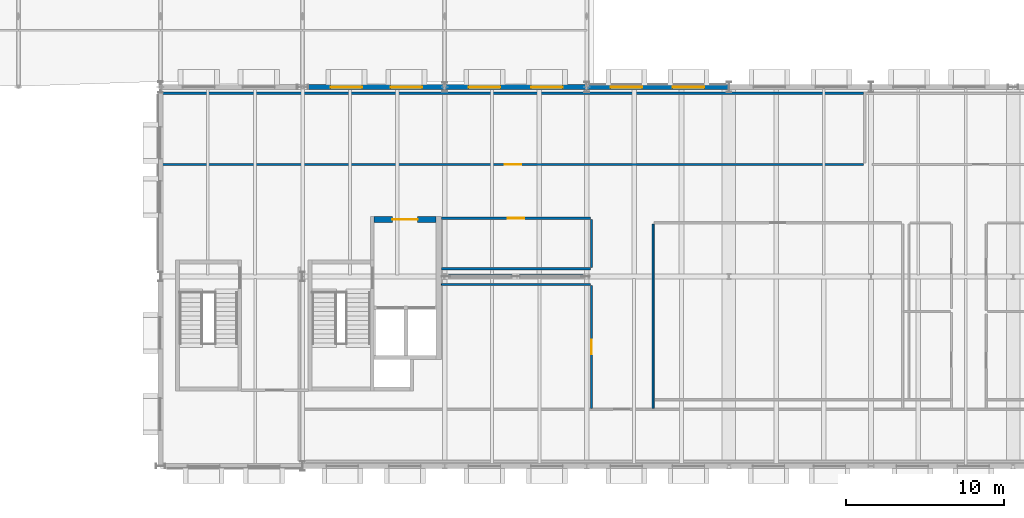
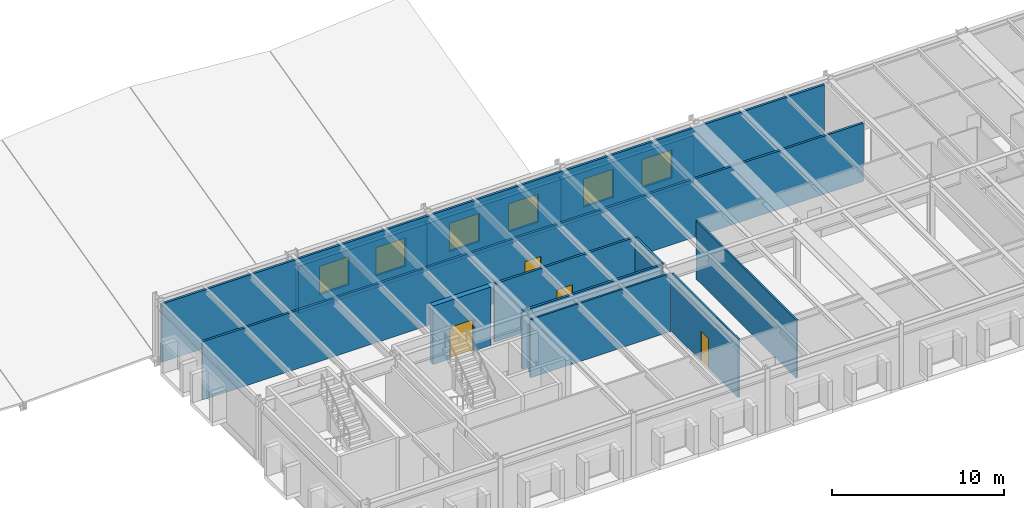
# One storey, part 55 of 67: 13 walls, 6 windows, 4 doors, 10 openings.
"""IFC4 building model written with IfcOpenShell, lengths in metres."""

from ifc_helpers import new_model, si_unit, direction, frame, frame_2d, origin, place, context, subcontext, project, spatial, rectangle, extrude, material, layer, layer_set, type_object, element, fill, save


model = new_model("IFC4")

# Units and contexts
model_context = context("Model", 3, precision=1e-05, world=origin(), true_north=direction((0.0, 1.0)))
body_context = subcontext(model_context, "Body", "Model", "MODEL_VIEW")
ifc_project = project(units=[si_unit("LENGTHUNIT", "METRE"), si_unit("AREAUNIT", "SQUARE_METRE"), si_unit("VOLUMEUNIT", "CUBIC_METRE"), si_unit("PLANEANGLEUNIT", "RADIAN"), si_unit("MASSUNIT", "GRAM", prefix="KILO")], contexts=[model_context])

# Site, building, storey
site_placement = place(None, origin())
site = spatial("IfcSite", under=ifc_project, at=site_placement, CompositionType="ELEMENT")
building_placement = place(site_placement, origin())
building = spatial("IfcBuilding", under=site, at=building_placement, Name="Montelvaro Courts of Justice", CompositionType="ELEMENT")
storey_placement = place(building_placement, frame((0.0, 0.0, 18.89990234375)))
storey = spatial("IfcBuildingStorey", under=building, at=storey_placement, Name="L04", CompositionType="ELEMENT", Elevation=18.89990234375)

# Wall, opening, door
ifc_material_1 = material(Name="Gypsum board on metal stud")
ifc_layer_1 = layer(ifc_material_1, 0.14990234375)
ifc_layer_set_1 = layer_set([ifc_layer_1], Name="Gypsum board on metal stud")
wall_type_1 = type_object("IfcWallType", Name="ChambersPartition_150", PredefinedType="PARTITIONING", material=ifc_layer_set_1)
wall_1_placement = place(storey_placement, frame((89.52001953125, 19.10009765625, 0.0), z_axis=(0.0, 0.0, 1.0), x_axis=(-1.0, 0.0, 0.0)))
wall_1 = element("IfcWall", 1, at=wall_1_placement, inside=storey, type_object=wall_type_1, Name="Interior Partition IW-04 (L04)", PredefinedType="PARTITIONING", context=body_context, shape_type="SweptSolid", body=[
    extrude(rectangle(XDim=44.375, YDim=0.14990234375, at=frame_2d((22.1875, 0.0))), origin(), (0.0, 0.0, 1.0), 4.14013671875),
])
opening_1_placement = place(wall_1_placement, frame((21.6630859375, 0.0, 0.0)))
opening_1 = element("IfcOpeningElement", 2, at=opening_1_placement, cuts=wall_1, Name="Opening D-L04-135", PredefinedType="OPENING", context=body_context, shape_type="SweptSolid", body=[
    extrude(rectangle(XDim=1.050048828125, YDim=2.25, at=frame_2d((0.52490234375, 1.125))), frame((0.0, 0.08984375, 0.0), z_axis=(0.0, -1.0, 0.0), x_axis=(1.0, 0.0, 0.0)), (0.0, 0.0, 1.0), 0.1796875),
])
ifc_material_2 = material(Name="Acoustic oak timber veneer", Category="wood")
door_type_1 = type_object("IfcDoorType", Name="ChamberDoor_105x225", OperationType="NOTDEFINED", PredefinedType="DOOR", material=ifc_material_2)
door_1_placement = place(opening_1_placement, frame((1.050048828125, 0.0, 0.0), z_axis=(0.0, 0.0, 1.0), x_axis=(-1.0, 0.0, 0.0)))
door_1 = element("IfcDoor", 3, at=door_1_placement, inside=storey, type_object=door_type_1, Name="Interior Door D-L04-135 (Prosecutors' Suite West L04)", OperationType="SINGLE_SWING_RIGHT", OverallHeight=2.25, OverallWidth=1.050048828125, PredefinedType="DOOR", context=body_context, shape_type="SweptSolid", body=[
    extrude(rectangle(XDim=1.050048828125, YDim=2.25, at=frame_2d((0.52490234375, 1.125))), frame((0.0, 0.02490234375, 0.0), z_axis=(0.0, -1.0, 0.0), x_axis=(1.0, 0.0, 0.0)), (0.0, 0.0, 1.0), 0.050048828125),
])
fill(opening_1, door_1)

# Wall
wall_2_placement = place(storey_placement, frame((45.008056640625, 23.60009765625, 0.0), z_axis=(0.0, 0.0, 1.0), x_axis=(1.0, 0.0, 0.0)))
element("IfcWall", 4, at=wall_2_placement, inside=storey, type_object=wall_type_1, Name="Interior Partition IW-04 (L04)", PredefinedType="PARTITIONING", context=body_context, shape_type="SweptSolid", body=[
    extrude(rectangle(XDim=44.511962890625, YDim=0.14990234375, at=frame_2d((22.255859375, 0.0))), origin(), (0.0, 0.0, 1.0), 4.14013671875),
])

# Wall, opening, door
wall_3_placement = place(storey_placement, frame((62.794921875, 15.699951171875, 0.0), z_axis=(0.0, 0.0, 1.0), x_axis=(1.0, 0.0, 0.0)))
wall_3 = element("IfcWall", 5, at=wall_3_placement, inside=storey, type_object=wall_type_1, Name="Interior Partition IW-04 (L04)", PredefinedType="PARTITIONING", context=body_context, shape_type="SweptSolid", body=[
    extrude(rectangle(XDim=9.425048828125, YDim=0.14990234375, at=frame_2d((4.71240234375, 0.0))), origin(), (0.0, 0.0, 1.0), 4.14013671875),
])
opening_2_placement = place(wall_3_placement, frame((4.18701171875, 0.0, 0.0)))
opening_2 = element("IfcOpeningElement", 6, at=opening_2_placement, cuts=wall_3, Name="Opening D-L04-139", PredefinedType="OPENING", context=body_context, shape_type="SweptSolid", body=[
    extrude(rectangle(XDim=1.050048828125, YDim=2.25, at=frame_2d((0.52490234375, 1.125))), frame((0.0, 0.08984375, 0.0), z_axis=(0.0, -1.0, 0.0), x_axis=(1.0, 0.0, 0.0)), (0.0, 0.0, 1.0), 0.1796875),
])
door_2_placement = place(opening_2_placement, frame((1.050048828125, 0.0, 0.0), z_axis=(0.0, 0.0, 1.0), x_axis=(-1.0, 0.0, 0.0)))
door_2 = element("IfcDoor", 7, at=door_2_placement, inside=storey, type_object=door_type_1, Name="Interior Door D-L04-139 (Prosecution Secretariat L04)", OperationType="SINGLE_SWING_RIGHT", OverallHeight=2.25, OverallWidth=1.050048828125, PredefinedType="DOOR", context=body_context, shape_type="SweptSolid", body=[
    extrude(rectangle(XDim=1.050048828125, YDim=2.25, at=frame_2d((0.52490234375, 1.125))), frame((0.0, 0.02490234375, 0.0), z_axis=(0.0, -1.0, 0.0), x_axis=(1.0, 0.0, 0.0)), (0.0, 0.0, 1.0), 0.050048828125),
])
fill(opening_2, door_2)

# Walls
wall_4_placement = place(storey_placement, frame((72.300048828125, 15.6201171875, 0.0), z_axis=(0.0, 0.0, 1.0), x_axis=(0.0, -1.0, 0.0)))
element("IfcWall", 8, at=wall_4_placement, inside=storey, type_object=wall_type_1, Name="Interior Partition IW-04 (L04)", PredefinedType="PARTITIONING", context=body_context, shape_type="SweptSolid", body=[
    extrude(rectangle(XDim=3.0400390625, YDim=0.14990234375, at=frame_2d((1.52001953125, 0.0))), origin(), (0.0, 0.0, 1.0), 4.14013671875),
])
wall_5_placement = place(storey_placement, frame((72.219970703125, 12.5, 0.0), z_axis=(0.0, 0.0, 1.0), x_axis=(-1.0, 0.0, 0.0)))
element("IfcWall", 9, at=wall_5_placement, inside=storey, type_object=wall_type_1, Name="Interior Partition IW-04 (L04)", PredefinedType="PARTITIONING", context=body_context, shape_type="SweptSolid", body=[
    extrude(rectangle(XDim=9.425048828125, YDim=0.14990234375, at=frame_2d((4.71240234375, 0.0))), origin(), (0.0, 0.0, 1.0), 4.14013671875),
])

# Wall, opening, door
ifc_material_3 = material(Name="Concrete C40/50", Category="concrete")
ifc_layer_2 = layer(ifc_material_3, 0.360107421875)
ifc_layer_set_2 = layer_set([ifc_layer_2], Name="Concrete C40/50")
wall_type_2 = type_object("IfcWallType", Name="CoreWall_360", PredefinedType="SHEAR", material=ifc_layer_set_2)
wall_6_placement = place(storey_placement, frame((58.5400390625, 15.6201171875, 0.0), z_axis=(0.0, 0.0, 1.0), x_axis=(1.0, 0.0, 0.0)))
wall_6 = element("IfcWall", 10, at=wall_6_placement, inside=storey, type_object=wall_type_2, Name="Core Shear Wall CW-01 K1-N (L04)", PredefinedType="SHEAR", context=body_context, shape_type="SweptSolid", body=[
    extrude(rectangle(XDim=3.89990234375, YDim=0.360107421875, at=frame_2d((1.949951171875, 0.0))), origin(), (0.0, 0.0, 1.0), 4.16015625),
])
opening_3_placement = place(wall_6_placement, frame((1.14990234375, 0.0, 0.0)))
opening_3 = element("IfcOpeningElement", 11, at=opening_3_placement, cuts=wall_6, Name="Opening DL-L04-K1", PredefinedType="OPENING", context=body_context, shape_type="SweptSolid", body=[
    extrude(rectangle(XDim=1.60009765625, YDim=2.25, at=frame_2d((0.800048828125, 1.125))), frame((0.0, 0.19482421875, 0.0), z_axis=(0.0, -1.0, 0.0), x_axis=(1.0, 0.0, 0.0)), (0.0, 0.0, 1.0), 0.389892578125),
])
ifc_material_4 = material(Name="Galvanised steel S355 security door", Category="steel")
door_type_2 = type_object("IfcDoorType", Name="LobbyFireDoor_160x225", OperationType="DOUBLE_DOOR_SINGLE_SWING", PredefinedType="DOOR", material=ifc_material_4)
door_3_placement = place(opening_3_placement, origin())
door_3 = element("IfcDoor", 12, at=door_3_placement, inside=storey, type_object=door_type_2, Name="Core Lobby Fire Door DL-L04-K1", OperationType="DOUBLE_DOOR_SINGLE_SWING", OverallHeight=2.25, OverallWidth=1.60009765625, PredefinedType="DOOR", context=body_context, shape_type="SweptSolid", body=[
    extrude(rectangle(XDim=1.60009765625, YDim=2.25, at=frame_2d((0.800048828125, 1.125))), frame((0.0, 0.02490234375, 0.0), z_axis=(0.0, -1.0, 0.0), x_axis=(1.0, 0.0, 0.0)), (0.0, 0.0, 1.0), 0.050048828125),
])
fill(opening_3, door_3)

# Wall, openings, windows
ifc_material_5 = material(Name="White mineral precast concrete C45/55", Category="concrete")
ifc_layer_3 = layer(ifc_material_5, 0.300048828125)
ifc_layer_set_3 = layer_set([ifc_layer_3], Name="White mineral precast concrete C45/55")
wall_type_3 = type_object("IfcWallType", Name="ExtWall_GFRC_300", PredefinedType="SOLIDWALL", material=ifc_layer_set_3)
wall_7_placement = place(storey_placement, frame((80.94189453125, 24.0, 0.0), z_axis=(0.0, 0.0, 1.0), x_axis=(-1.0, 0.0, 0.0)))
wall_7 = element("IfcWall", 13, at=wall_7_placement, inside=storey, type_object=wall_type_3, Name="Exterior Facade Wall EW-02 (L04)", PredefinedType="SOLIDWALL", context=body_context, shape_type="SweptSolid", body=[
    extrude(rectangle(XDim=8.933837890625, YDim=0.300048828125, at=frame_2d((4.466796875, 0.0))), origin(), (0.0, 0.0, 1.0), 3.34521484375),
])
opening_4_placement = place(wall_7_placement, frame((1.501953125, 0.0, 0.85009765625)))
opening_4 = element("IfcOpeningElement", 14, at=opening_4_placement, cuts=wall_7, Name="Opening WE-11", PredefinedType="OPENING", context=body_context, shape_type="SweptSolid", body=[
    extrude(rectangle(XDim=2.0, YDim=2.0, at=frame_2d((1.0, 1.0))), frame((0.0, 0.1650390625, 0.0), z_axis=(0.0, -1.0, 0.0), x_axis=(1.0, 0.0, 0.0)), (0.0, 0.0, 1.0), 0.329833984375),
])
opening_5_placement = place(wall_7_placement, frame((5.431884765625, 0.0, 0.85009765625)))
opening_5 = element("IfcOpeningElement", 15, at=opening_5_placement, cuts=wall_7, Name="Opening WE-11", PredefinedType="OPENING", context=body_context, shape_type="SweptSolid", body=[
    extrude(rectangle(XDim=2.0, YDim=2.0, at=frame_2d((1.0, 1.0))), frame((0.0, 0.1650390625, 0.0), z_axis=(0.0, -1.0, 0.0), x_axis=(1.0, 0.0, 0.0)), (0.0, 0.0, 1.0), 0.329833984375),
])
ifc_material_6 = material(Name="Low-E solar control double glazing", Category="glass")
window_type = type_object("IfcWindowType", Name="Win_Sq_200x200", PartitioningType="SINGLE_PANEL", PredefinedType="WINDOW", material=ifc_material_6)
window_1_placement = place(opening_4_placement, origin())
window_1 = element("IfcWindow", 16, at=window_1_placement, inside=storey, type_object=window_type, Name="Window W-L04-197", OverallHeight=2.0, OverallWidth=2.0, PartitioningType="SINGLE_PANEL", PredefinedType="WINDOW", context=body_context, shape_type="SweptSolid", body=[
    extrude(rectangle(XDim=2.0, YDim=2.0, at=frame_2d((1.0, 1.0))), frame((0.0, 0.030029296875, 0.0), z_axis=(0.0, -1.0, 0.0), x_axis=(1.0, 0.0, 0.0)), (0.0, 0.0, 1.0), 0.06005859375),
])
fill(opening_4, window_1)
window_2_placement = place(opening_5_placement, origin())
window_2 = element("IfcWindow", 17, at=window_2_placement, inside=storey, type_object=window_type, Name="Window W-L04-198", OverallHeight=2.0, OverallWidth=2.0, PartitioningType="SINGLE_PANEL", PredefinedType="WINDOW", context=body_context, shape_type="SweptSolid", body=[
    extrude(rectangle(XDim=2.0, YDim=2.0, at=frame_2d((1.0, 1.0))), frame((0.0, 0.030029296875, 0.0), z_axis=(0.0, -1.0, 0.0), x_axis=(1.0, 0.0, 0.0)), (0.0, 0.0, 1.0), 0.06005859375),
])
fill(opening_5, window_2)

wall_8_placement = place(storey_placement, frame((71.991943359375, 24.0, 0.0), z_axis=(0.0, 0.0, 1.0), x_axis=(-1.0, 0.0, 0.0)))
wall_8 = element("IfcWall", 18, at=wall_8_placement, inside=storey, type_object=wall_type_3, Name="Exterior Facade Wall EW-02 (L04)", PredefinedType="SOLIDWALL", context=body_context, shape_type="SweptSolid", body=[
    extrude(rectangle(XDim=8.98388671875, YDim=0.300048828125, at=frame_2d((4.491943359375, 0.0))), origin(), (0.0, 0.0, 1.0), 3.34521484375),
])
opening_6_placement = place(wall_8_placement, frame((1.51611328125, 0.0, 0.85009765625)))
opening_6 = element("IfcOpeningElement", 19, at=opening_6_placement, cuts=wall_8, Name="Opening WE-11", PredefinedType="OPENING", context=body_context, shape_type="SweptSolid", body=[
    extrude(rectangle(XDim=2.0, YDim=2.0, at=frame_2d((1.0, 1.0))), frame((0.0, 0.1650390625, 0.0), z_axis=(0.0, -1.0, 0.0), x_axis=(1.0, 0.0, 0.0)), (0.0, 0.0, 1.0), 0.329833984375),
])
opening_7_placement = place(wall_8_placement, frame((5.468017578125, 0.0, 0.85009765625)))
opening_7 = element("IfcOpeningElement", 20, at=opening_7_placement, cuts=wall_8, Name="Opening WE-11", PredefinedType="OPENING", context=body_context, shape_type="SweptSolid", body=[
    extrude(rectangle(XDim=2.0, YDim=2.0, at=frame_2d((1.0, 1.0))), frame((0.0, 0.1650390625, 0.0), z_axis=(0.0, -1.0, 0.0), x_axis=(1.0, 0.0, 0.0)), (0.0, 0.0, 1.0), 0.329833984375),
])
window_3_placement = place(opening_6_placement, origin())
window_3 = element("IfcWindow", 21, at=window_3_placement, inside=storey, type_object=window_type, Name="Window W-L04-199", OverallHeight=2.0, OverallWidth=2.0, PartitioningType="SINGLE_PANEL", PredefinedType="WINDOW", context=body_context, shape_type="SweptSolid", body=[
    extrude(rectangle(XDim=2.0, YDim=2.0, at=frame_2d((1.0, 1.0))), frame((0.0, 0.030029296875, 0.0), z_axis=(0.0, -1.0, 0.0), x_axis=(1.0, 0.0, 0.0)), (0.0, 0.0, 1.0), 0.06005859375),
])
fill(opening_6, window_3)
window_4_placement = place(opening_7_placement, origin())
window_4 = element("IfcWindow", 22, at=window_4_placement, inside=storey, type_object=window_type, Name="Window W-L04-200", OverallHeight=2.0, OverallWidth=2.0, PartitioningType="SINGLE_PANEL", PredefinedType="WINDOW", context=body_context, shape_type="SweptSolid", body=[
    extrude(rectangle(XDim=2.0, YDim=2.0, at=frame_2d((1.0, 1.0))), frame((0.0, 0.030029296875, 0.0), z_axis=(0.0, -1.0, 0.0), x_axis=(1.0, 0.0, 0.0)), (0.0, 0.0, 1.0), 0.06005859375),
])
fill(opening_7, window_4)

wall_9_placement = place(storey_placement, frame((62.991943359375, 24.0, 0.0), z_axis=(0.0, 0.0, 1.0), x_axis=(-1.0, 0.0, 0.0)))
wall_9 = element("IfcWall", 23, at=wall_9_placement, inside=storey, type_object=wall_type_3, Name="Exterior Facade Wall EW-02 (L04)", PredefinedType="SOLIDWALL", context=body_context, shape_type="SweptSolid", body=[
    extrude(rectangle(XDim=8.635986328125, YDim=0.300048828125, at=frame_2d((4.31787109375, 0.0))), origin(), (0.0, 0.0, 1.0), 3.34521484375),
])
opening_8_placement = place(wall_9_placement, frame((1.41796875, 0.0, 0.85009765625)))
opening_8 = element("IfcOpeningElement", 24, at=opening_8_placement, cuts=wall_9, Name="Opening WE-11", PredefinedType="OPENING", context=body_context, shape_type="SweptSolid", body=[
    extrude(rectangle(XDim=2.0, YDim=2.0, at=frame_2d((1.0, 1.0))), frame((0.0, 0.1650390625, 0.0), z_axis=(0.0, -1.0, 0.0), x_axis=(1.0, 0.0, 0.0)), (0.0, 0.0, 1.0), 0.329833984375),
])
opening_9_placement = place(wall_9_placement, frame((5.218017578125, 0.0, 0.85009765625)))
opening_9 = element("IfcOpeningElement", 25, at=opening_9_placement, cuts=wall_9, Name="Opening WE-11", PredefinedType="OPENING", context=body_context, shape_type="SweptSolid", body=[
    extrude(rectangle(XDim=2.0, YDim=2.0, at=frame_2d((1.0, 1.0))), frame((0.0, 0.1650390625, 0.0), z_axis=(0.0, -1.0, 0.0), x_axis=(1.0, 0.0, 0.0)), (0.0, 0.0, 1.0), 0.329833984375),
])
window_5_placement = place(opening_8_placement, origin())
window_5 = element("IfcWindow", 26, at=window_5_placement, inside=storey, type_object=window_type, Name="Window W-L04-201", OverallHeight=2.0, OverallWidth=2.0, PartitioningType="SINGLE_PANEL", PredefinedType="WINDOW", context=body_context, shape_type="SweptSolid", body=[
    extrude(rectangle(XDim=2.0, YDim=2.0, at=frame_2d((1.0, 1.0))), frame((0.0, 0.030029296875, 0.0), z_axis=(0.0, -1.0, 0.0), x_axis=(1.0, 0.0, 0.0)), (0.0, 0.0, 1.0), 0.06005859375),
])
fill(opening_8, window_5)
window_6_placement = place(opening_9_placement, origin())
window_6 = element("IfcWindow", 27, at=window_6_placement, inside=storey, type_object=window_type, Name="Window W-L04-202", OverallHeight=2.0, OverallWidth=2.0, PartitioningType="SINGLE_PANEL", PredefinedType="WINDOW", context=body_context, shape_type="SweptSolid", body=[
    extrude(rectangle(XDim=2.0, YDim=2.0, at=frame_2d((1.0, 1.0))), frame((0.0, 0.030029296875, 0.0), z_axis=(0.0, -1.0, 0.0), x_axis=(1.0, 0.0, 0.0)), (0.0, 0.0, 1.0), 0.06005859375),
])
fill(opening_9, window_6)

# Wall, opening, door
ifc_layer_4 = layer(ifc_material_1, 0.1201171875)
ifc_layer_set_4 = layer_set([ifc_layer_4], Name="Gypsum board on metal stud")
wall_type_4 = type_object("IfcWallType", Name="OfficePartition_120", PredefinedType="PARTITIONING", material=ifc_layer_set_4)
wall_10_placement = place(storey_placement, frame((72.300048828125, 11.419921875, 0.0), z_axis=(0.0, 0.0, 1.0), x_axis=(0.0, -1.0, 0.0)))
wall_10 = element("IfcWall", 28, at=wall_10_placement, inside=storey, type_object=wall_type_4, Name="Interior Partition IW-05 (L04)", PredefinedType="PARTITIONING", context=body_context, shape_type="SweptSolid", body=[
    extrude(rectangle(XDim=7.764892578125, YDim=0.1201171875, at=frame_2d((3.88232421875, 0.0))), origin(), (0.0, 0.0, 1.0), 4.14013671875),
])
opening_10_placement = place(wall_10_placement, frame((3.43310546875, 0.0, 0.0)))
opening_10 = element("IfcOpeningElement", 29, at=opening_10_placement, cuts=wall_10, Name="Opening D-L04-138", PredefinedType="OPENING", context=body_context, shape_type="SweptSolid", body=[
    extrude(rectangle(XDim=0.89990234375, YDim=2.10009765625, at=frame_2d((0.449951171875, 1.050048828125))), frame((0.0, 0.074951171875, 0.0), z_axis=(0.0, -1.0, 0.0), x_axis=(1.0, 0.0, 0.0)), (0.0, 0.0, 1.0), 0.14990234375),
])
door_type_3 = type_object("IfcDoorType", Name="OfficeDoor_090x210", OperationType="NOTDEFINED", PredefinedType="DOOR", material=ifc_material_2)
door_4_placement = place(opening_10_placement, origin())
door_4 = element("IfcDoor", 30, at=door_4_placement, inside=storey, type_object=door_type_3, Name="Interior Door D-L04-138 (Chief Prosecutor's Chambers)", OperationType="SINGLE_SWING_LEFT", OverallHeight=2.10009765625, OverallWidth=0.89990234375, PredefinedType="DOOR", context=body_context, shape_type="SweptSolid", body=[
    extrude(rectangle(XDim=0.89990234375, YDim=2.10009765625, at=frame_2d((0.449951171875, 1.050048828125))), frame((0.0, 0.02490234375, 0.0), z_axis=(0.0, -1.0, 0.0), x_axis=(1.0, 0.0, 0.0)), (0.0, 0.0, 1.0), 0.050048828125),
])
fill(opening_10, door_4)

# Walls
wall_11_placement = place(storey_placement, frame((62.794921875, 11.5, 0.0), z_axis=(0.0, 0.0, 1.0), x_axis=(1.0, 0.0, 0.0)))
element("IfcWall", 31, at=wall_11_placement, inside=storey, type_object=wall_type_4, Name="Interior Partition IW-05 (L04)", PredefinedType="PARTITIONING", context=body_context, shape_type="SweptSolid", body=[
    extrude(rectangle(XDim=9.425048828125, YDim=0.1201171875, at=frame_2d((4.71240234375, 0.0))), origin(), (0.0, 0.0, 1.0), 4.14013671875),
])
wall_12_placement = place(storey_placement, frame((76.199951171875, 3.655029296875, 0.0), z_axis=(0.0, 0.0, 1.0), x_axis=(0.0, 1.0, 0.0)))
element("IfcWall", 32, at=wall_12_placement, inside=storey, type_object=wall_type_4, Name="Interior Partition IW-05 (L04)", PredefinedType="PARTITIONING", context=body_context, shape_type="SweptSolid", body=[
    extrude(rectangle(XDim=11.6650390625, YDim=0.1201171875, at=frame_2d((5.83251953125, 0.0))), origin(), (0.0, 0.0, 1.0), 4.14013671875),
])
ifc_material_7 = material(Name="Concrete C35/45", Category="concrete")
ifc_layer_5 = layer(ifc_material_7, 0.239990234375)
ifc_layer_set_5 = layer_set([ifc_layer_5], Name="Concrete C35/45")
wall_type_5 = type_object("IfcWallType", Name="ShaftWall_240", PredefinedType="SHEAR", material=ifc_layer_set_5)
wall_13_placement = place(storey_placement, frame((63.008056640625, 12.0, 0.0), z_axis=(0.0, 0.0, 1.0), x_axis=(1.0, 0.0, 0.0)))
element("IfcWall", 33, at=wall_13_placement, inside=storey, type_object=wall_type_5, Name="Enclosed Braced Frame Structural Wall CBF1 (L04)", PredefinedType="SHEAR", context=body_context, shape_type="SweptSolid", body=[
    extrude(rectangle(XDim=8.833984375, YDim=0.239990234375, at=frame_2d((4.4169921875, 0.0))), origin(), (0.0, 0.0, 1.0), 3.35498046875),
])

save(model, "model.ifc")
